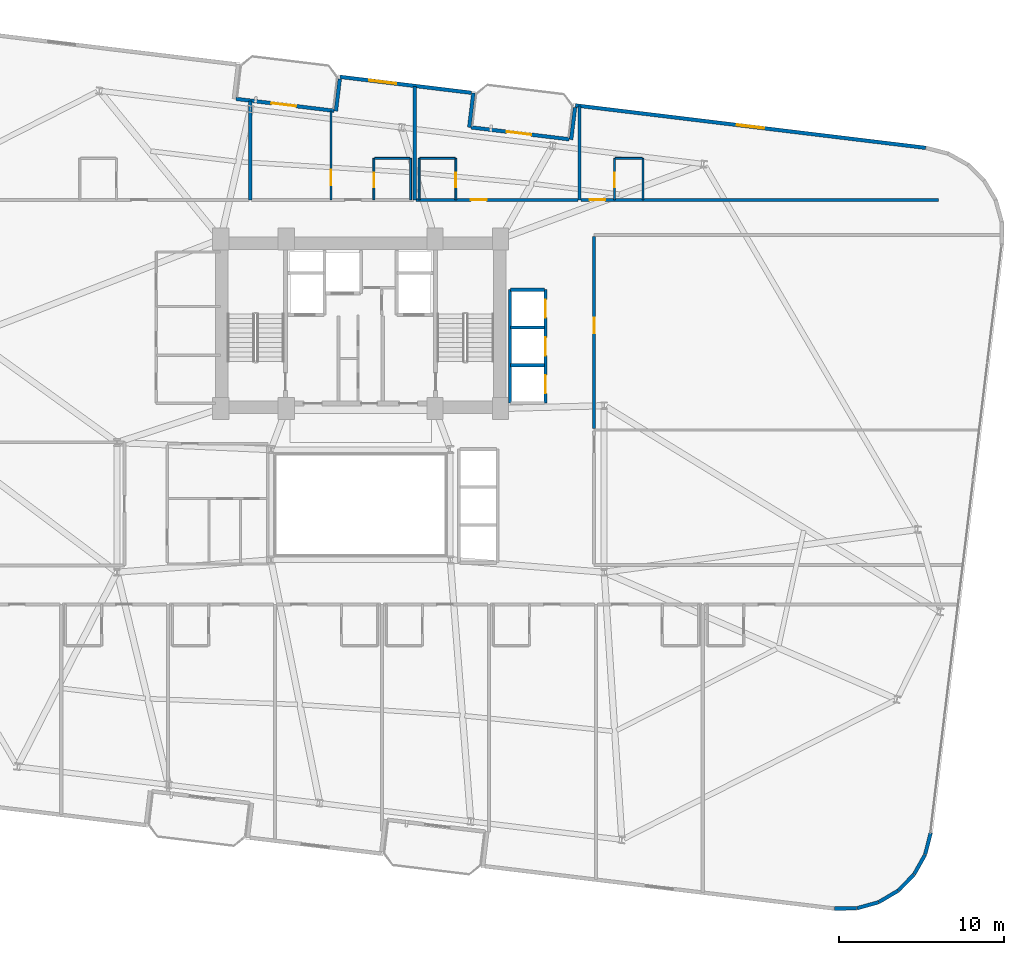
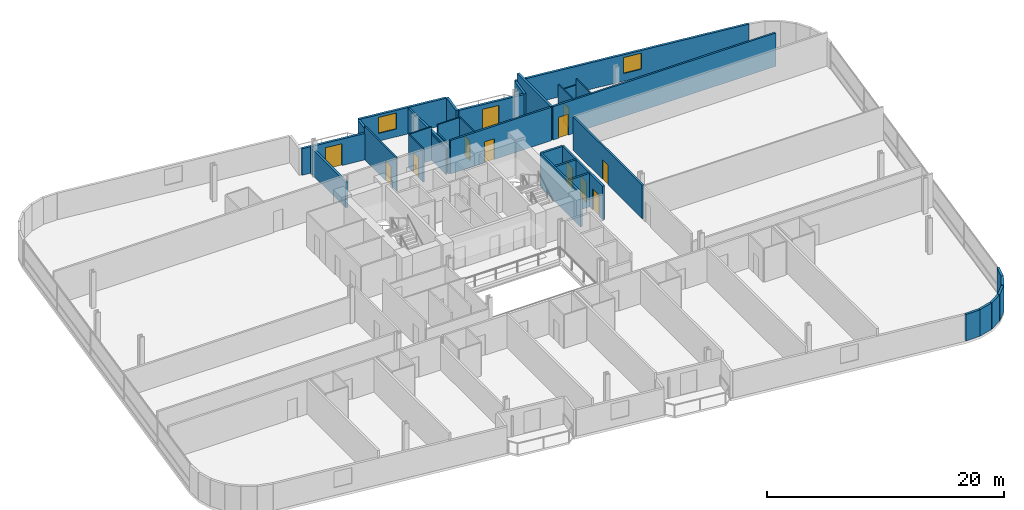
# One storey, part 23 of 26: 34 walls, 12 doors, 2 windows, 14 openings.
"""IFC4 building model written with IfcOpenShell, lengths in metres."""

from ifc_helpers import new_model, si_unit, direction, frame, frame_2d, origin, place, context, subcontext, project, spatial, rectangle, extrude, material, layer, layer_set, type_object, element, fill, save


model = new_model("IFC4")

# Units and contexts
model_context = context("Model", 3, precision=1e-05, world=origin(), true_north=direction((0.0, 1.0)))
body_context = subcontext(model_context, "Body", "Model", "MODEL_VIEW")
ifc_project = project(units=[si_unit("LENGTHUNIT", "METRE"), si_unit("AREAUNIT", "SQUARE_METRE"), si_unit("VOLUMEUNIT", "CUBIC_METRE"), si_unit("PLANEANGLEUNIT", "RADIAN"), si_unit("MASSUNIT", "GRAM", prefix="KILO")], contexts=[model_context])

# Site, building, storey
site_placement = place(None, origin())
site = spatial("IfcSite", under=ifc_project, at=site_placement, CompositionType="ELEMENT")
building_placement = place(site_placement, origin())
building = spatial("IfcBuilding", under=site, at=building_placement, Name="Varnelok Gate Tower", CompositionType="ELEMENT")
storey_placement = place(building_placement, frame((0.0, 0.0, 129.10009765625)))
storey = spatial("IfcBuildingStorey", under=building, at=storey_placement, Name="L32", CompositionType="ELEMENT", Elevation=129.10009765625)

# Wall, opening, door
ifc_material_1 = material(Name="Concrete C45/55", Category="concrete")
ifc_layer_1 = layer(ifc_material_1, 0.219970703125)
ifc_layer_set_1 = layer_set([ifc_layer_1], Name="Concrete C45/55")
wall_type_1 = type_object("IfcWallType", Name="EW-BALC-220", PredefinedType="SOLIDWALL", material=ifc_layer_set_1)
wall_1_placement = place(storey_placement, frame((31.624267578125, 47.5634765625, 0.0), z_axis=(0.0, 0.0, 1.0), x_axis=(0.992729951822, -0.120362962556, 0.0)))
wall_1 = element("IfcWall", 1, at=wall_1_placement, inside=storey, type_object=wall_type_1, Name="L32 North Terrace Envelope Wall 3", PredefinedType="SOLIDWALL", context=body_context, shape_type="SweptSolid", body=[
    extrude(rectangle(XDim=6.0, YDim=0.219970703125, at=frame_2d((3.0, 0.0))), origin(), (0.0, 0.0, 1.0), 2.72998046875),
])
opening_1_placement = place(wall_1_placement, frame((2.176025390625, 0.0, 0.0)))
opening_1 = element("IfcOpeningElement", 2, at=opening_1_placement, cuts=wall_1, Name="Opening BD-1", PredefinedType="OPENING", context=body_context, shape_type="SweptSolid", body=[
    extrude(rectangle(XDim=1.5, YDim=2.25, at=frame_2d((0.75, 1.125))), frame((0.0, 0.119873046875, 0.0), z_axis=(0.0, -1.0, 0.0), x_axis=(1.0, 0.0, 0.0)), (0.0, 0.0, 1.0), 0.239990234375),
])
ifc_material_2 = material(Name="Anodized Aluminum Alloy 6063-T6", Category="aluminium")
door_type_1 = type_object("IfcDoorType", Name="DR-EXT-BALC1500", OperationType="NOTDEFINED", PredefinedType="DOOR", material=ifc_material_2)
door_1_placement = place(opening_1_placement, origin())
door_1 = element("IfcDoor", 3, at=door_1_placement, inside=storey, type_object=door_type_1, Name="L32 North Balcony Glazed Door 3", OperationType="SINGLE_SWING_RIGHT", OverallHeight=2.25, OverallWidth=1.5, PredefinedType="DOOR", context=body_context, shape_type="SweptSolid", body=[
    extrude(rectangle(XDim=1.5, YDim=2.25, at=frame_2d((0.75, 1.125))), frame((0.0, 0.02490234375, 0.0), z_axis=(0.0, -1.0, 0.0), x_axis=(1.0, 0.0, 0.0)), (0.0, 0.0, 1.0), 0.050048828125),
])
fill(opening_1, door_1)

wall_2_placement = place(storey_placement, frame((45.919677734375, 45.83056640625, 0.0), z_axis=(0.0, 0.0, 1.0), x_axis=(0.992729951822, -0.120362962556, 0.0)))
wall_2 = element("IfcWall", 4, at=wall_2_placement, inside=storey, type_object=wall_type_1, Name="L32 North Terrace Envelope Wall 4", PredefinedType="SOLIDWALL", context=body_context, shape_type="SweptSolid", body=[
    extrude(rectangle(XDim=6.0, YDim=0.219970703125, at=frame_2d((3.0, 0.0))), origin(), (0.0, 0.0, 1.0), 2.72998046875),
])
opening_2_placement = place(wall_2_placement, frame((2.176025390625, 0.0, 0.0)))
opening_2 = element("IfcOpeningElement", 5, at=opening_2_placement, cuts=wall_2, Name="Opening BD-1", PredefinedType="OPENING", context=body_context, shape_type="SweptSolid", body=[
    extrude(rectangle(XDim=1.5, YDim=2.25, at=frame_2d((0.75, 1.125))), frame((0.0, 0.119873046875, 0.0), z_axis=(0.0, -1.0, 0.0), x_axis=(1.0, 0.0, 0.0)), (0.0, 0.0, 1.0), 0.239990234375),
])
door_2_placement = place(opening_2_placement, origin())
door_2 = element("IfcDoor", 6, at=door_2_placement, inside=storey, type_object=door_type_1, Name="L32 North Balcony Glazed Door 4", OperationType="SINGLE_SWING_LEFT", OverallHeight=2.25, OverallWidth=1.5, PredefinedType="DOOR", context=body_context, shape_type="SweptSolid", body=[
    extrude(rectangle(XDim=1.5, YDim=2.25, at=frame_2d((0.75, 1.125))), frame((0.0, 0.02490234375, 0.0), z_axis=(0.0, -1.0, 0.0), x_axis=(1.0, 0.0, 0.0)), (0.0, 0.0, 1.0), 0.050048828125),
])
fill(opening_2, door_2)

# Walls
wall_3_placement = place(storey_placement, frame((67.984375, -1.63671875, 0.0), z_axis=(0.0, 0.0, 1.0), x_axis=(0.999945887077, 0.010403024475, 0.0)))
element("IfcWall", 7, at=wall_3_placement, inside=storey, type_object=wall_type_1, Name="L32 Perimeter Facade Closure Wall 14", PredefinedType="SOLIDWALL", context=body_context, shape_type="SweptSolid", body=[
    extrude(rectangle(XDim=1.361083984375, YDim=0.219970703125, at=frame_2d((0.6806640625, 0.0))), origin(), (0.0, 0.0, 1.0), 2.72998046875),
])
wall_4_placement = place(storey_placement, frame((69.369384765625, -1.615966796875, 0.0), z_axis=(0.0, 0.0, 1.0), x_axis=(0.963194128812, 0.268806752562, 0.0)))
element("IfcWall", 8, at=wall_4_placement, inside=storey, type_object=wall_type_1, Name="L32 Perimeter Facade Closure Wall 15", PredefinedType="SOLIDWALL", context=body_context, shape_type="SweptSolid", body=[
    extrude(rectangle(XDim=1.353271484375, YDim=0.219970703125, at=frame_2d((0.6767578125, 0.0))), origin(), (0.0, 0.0, 1.0), 2.72998046875),
])
for number, where, z_axis, x_axis, name in (
    (9, (70.6943359375, -1.239501953125, 0.0), (0.0, 0.0, 1.0), (0.860865455241, 0.508832652228, 0.0), "L32 Perimeter Facade Closure Wall 16"),
    (10, (71.876708984375, -0.533203125, 0.0), (0.0, 0.0, 1.0), (0.69976104234, 0.714376989847, 0.0), "L32 Perimeter Facade Closure Wall 17"),
    (11, (72.835693359375, 0.455078125, 0.0), (0.0, 0.0, 1.0), (0.491117621399, 0.871093268227, 0.0), "L32 Perimeter Facade Closure Wall 18"),
):
    element("IfcWall", number, at=place(storey_placement, frame(where, z_axis=z_axis, x_axis=x_axis)), inside=storey, type_object=wall_type_1, Name=name, PredefinedType="SOLIDWALL", context=body_context, shape_type="SweptSolid", body=[
        extrude(rectangle(XDim=1.35302734375, YDim=0.219970703125, at=frame_2d((0.676513671875, 0.0))), origin(), (0.0, 0.0, 1.0), 2.72998046875),
    ])
wall_5_placement = place(storey_placement, frame((73.506591796875, 1.658203125, 0.0), z_axis=(0.0, 0.0, 1.0), x_axis=(0.248857256909, 0.968540172468, 0.0)))
element("IfcWall", 12, at=wall_5_placement, inside=storey, type_object=wall_type_1, Name="L32 Perimeter Facade Closure Wall 19", PredefinedType="SOLIDWALL", context=body_context, shape_type="SweptSolid", body=[
    extrude(rectangle(XDim=1.352783203125, YDim=0.219970703125, at=frame_2d((0.67626953125, 0.0))), origin(), (0.0, 0.0, 1.0), 2.72998046875),
])

# Wall, opening, window
wall_6_placement = place(storey_placement, frame((73.537841796875, 44.587890625, 0.0), z_axis=(0.0, 0.0, 1.0), x_axis=(-0.992733493583, 0.120333747213, 0.0)))
wall_6 = element("IfcWall", 13, at=wall_6_placement, inside=storey, type_object=wall_type_1, Name="L32 Perimeter Facade Closure Wall 26", PredefinedType="SOLIDWALL", context=body_context, shape_type="SweptSolid", body=[
    extrude(rectangle(XDim=21.447021484375, YDim=0.219970703125, at=frame_2d((10.7236328125, 0.0))), origin(), (0.0, 0.0, 1.0), 2.72998046875),
])
opening_3_placement = place(wall_6_placement, frame((9.898681640625, 0.0, 0.800048828125)))
opening_3 = element("IfcOpeningElement", 14, at=opening_3_placement, cuts=wall_6, Name="Opening WN3", PredefinedType="OPENING", context=body_context, shape_type="SweptSolid", body=[
    extrude(rectangle(XDim=1.64990234375, YDim=1.64990234375, at=frame_2d((0.824951171875, 0.824951171875))), frame((0.0, 0.119873046875, 0.0), z_axis=(0.0, -1.0, 0.0), x_axis=(1.0, 0.0, 0.0)), (0.0, 0.0, 1.0), 0.239990234375),
])
ifc_material_3 = material(Name="Low-E Laminated Double Glazing IGU", Category="glass")
window_type = type_object("IfcWindowType", Name="WN-HTL-1650", PartitioningType="SINGLE_PANEL", PredefinedType="WINDOW", material=ifc_material_3)
window_1_placement = place(opening_3_placement, origin())
window_1 = element("IfcWindow", 15, at=window_1_placement, inside=storey, type_object=window_type, Name="L32 Perimeter Vision Window 26", OverallHeight=1.64990234375, OverallWidth=1.64990234375, PartitioningType="SINGLE_PANEL", PredefinedType="WINDOW", context=body_context, shape_type="SweptSolid", body=[
    extrude(rectangle(XDim=1.64990234375, YDim=1.64990234375, at=frame_2d((0.824951171875, 0.824951171875))), frame((0.0, 0.030029296875, 0.0), z_axis=(0.0, -1.0, 0.0), x_axis=(1.0, 0.0, 0.0)), (0.0, 0.0, 1.0), 0.06005859375),
])
fill(opening_3, window_1)

# Walls
wall_7_placement = place(storey_placement, frame((52.2314453125, 47.044677734375, 0.0), z_axis=(0.0, 0.0, 1.0), x_axis=(-0.120275992932, -0.992740492538, 0.0)))
element("IfcWall", 16, at=wall_7_placement, inside=storey, type_object=wall_type_1, Name="L32 Perimeter Facade Closure Wall 27", PredefinedType="SOLIDWALL", context=body_context, shape_type="SweptSolid", body=[
    extrude(rectangle(XDim=1.97509765625, YDim=0.219970703125, at=frame_2d((0.987548828125, 0.0))), origin(), (0.0, 0.0, 1.0), 2.72998046875),
])
wall_8_placement = place(storey_placement, frame((45.79931640625, 45.8349609375, 0.0), z_axis=(0.0, 0.0, 1.0), x_axis=(0.120314009587, 0.992735885871, 0.0)))
element("IfcWall", 17, at=wall_8_placement, inside=storey, type_object=wall_type_1, Name="L32 Perimeter Facade Closure Wall 28", PredefinedType="SOLIDWALL", context=body_context, shape_type="SweptSolid", body=[
    extrude(rectangle(XDim=2.10009765625, YDim=0.219970703125, at=frame_2d((1.050048828125, 0.0))), origin(), (0.0, 0.0, 1.0), 2.72998046875),
])

# Wall, opening, window
wall_9_placement = place(storey_placement, frame((45.927734375, 47.934814453125, 0.0), z_axis=(0.0, 0.0, 1.0), x_axis=(-0.992730591876, 0.120357683402, 0.0)))
wall_9 = element("IfcWall", 18, at=wall_9_placement, inside=storey, type_object=wall_type_1, Name="L32 Perimeter Facade Closure Wall 29", PredefinedType="SOLIDWALL", context=body_context, shape_type="SweptSolid", body=[
    extrude(rectangle(XDim=8.03466796875, YDim=0.219970703125, at=frame_2d((4.017333984375, 0.0))), origin(), (0.0, 0.0, 1.0), 2.72998046875),
])
opening_4_placement = place(wall_9_placement, frame((4.59716796875, 0.0, 0.800048828125)))
opening_4 = element("IfcOpeningElement", 19, at=opening_4_placement, cuts=wall_9, Name="Opening WN3", PredefinedType="OPENING", context=body_context, shape_type="SweptSolid", body=[
    extrude(rectangle(XDim=1.64990234375, YDim=1.64990234375, at=frame_2d((0.824951171875, 0.824951171875))), frame((0.0, 0.119873046875, 0.0), z_axis=(0.0, -1.0, 0.0), x_axis=(1.0, 0.0, 0.0)), (0.0, 0.0, 1.0), 0.239990234375),
])
window_2_placement = place(opening_4_placement, origin())
window_2 = element("IfcWindow", 20, at=window_2_placement, inside=storey, type_object=window_type, Name="L32 Perimeter Vision Window 29", OverallHeight=1.64990234375, OverallWidth=1.64990234375, PartitioningType="SINGLE_PANEL", PredefinedType="WINDOW", context=body_context, shape_type="SweptSolid", body=[
    extrude(rectangle(XDim=1.64990234375, YDim=1.64990234375, at=frame_2d((0.824951171875, 0.824951171875))), frame((0.0, 0.030029296875, 0.0), z_axis=(0.0, -1.0, 0.0), x_axis=(1.0, 0.0, 0.0)), (0.0, 0.0, 1.0), 0.06005859375),
])
fill(opening_4, window_2)

# Wall
wall_10_placement = place(storey_placement, frame((37.936279296875, 48.777587890625, 0.0), z_axis=(0.0, 0.0, 1.0), x_axis=(-0.120397815541, -0.992725725472, 0.0)))
element("IfcWall", 21, at=wall_10_placement, inside=storey, type_object=wall_type_1, Name="L32 Perimeter Facade Closure Wall 30", PredefinedType="SOLIDWALL", context=body_context, shape_type="SweptSolid", body=[
    extrude(rectangle(XDim=1.97509765625, YDim=0.219970703125, at=frame_2d((0.987548828125, 0.0))), origin(), (0.0, 0.0, 1.0), 2.72998046875),
])

# Wall, opening, door
ifc_material_4 = material(Name="Gypsum Plasterboard Acoustic Partition", Category="gypsum")
ifc_layer_2 = layer(ifc_material_4, 0.179931640625)
ifc_layer_set_2 = layer_set([ifc_layer_2], Name="Gypsum Plasterboard Acoustic Partition")
wall_type_2 = type_object("IfcWallType", Name="PW-CORR-180", PredefinedType="PARTITIONING", material=ifc_layer_set_2)
wall_11_placement = place(storey_placement, frame((42.580078125, 41.429931640625, 0.0), z_axis=(0.0, 0.0, 1.0), x_axis=(1.0, 0.0, 0.0)))
wall_11 = element("IfcWall", 22, at=wall_11_placement, inside=storey, type_object=wall_type_2, Name="Interior Partition", PredefinedType="PARTITIONING", context=body_context, shape_type="SweptSolid", body=[
    extrude(rectangle(XDim=9.83984375, YDim=0.179931640625, at=frame_2d((4.919921875, 0.0))), origin(), (0.0, 0.0, 1.0), 3.449951171875),
])
opening_5_placement = place(wall_11_placement, frame((3.322998046875, 0.0, 0.0)))
opening_5 = element("IfcOpeningElement", 23, at=opening_5_placement, cuts=wall_11, Name="Opening D-HT", PredefinedType="OPENING", context=body_context, shape_type="SweptSolid", body=[
    extrude(rectangle(XDim=0.949951171875, YDim=2.14990234375, at=frame_2d((0.47509765625, 1.074951171875))), frame((0.0, 0.099853515625, 0.0), z_axis=(0.0, -1.0, 0.0), x_axis=(1.0, 0.0, 0.0)), (0.0, 0.0, 1.0), 0.199951171875),
])
ifc_material_5 = material(Name="Engineered Hardwood Timber", Category="wood")
door_type_2 = type_object("IfcDoorType", Name="DR-HTL-950", OperationType="NOTDEFINED", PredefinedType="DOOR", material=ifc_material_5)
door_3_placement = place(opening_5_placement, origin())
door_3 = element("IfcDoor", 24, at=door_3_placement, inside=storey, type_object=door_type_2, Name="L32 Guest Room 12 Entrance Door", OperationType="SINGLE_SWING_LEFT", OverallHeight=2.14990234375, OverallWidth=0.949951171875, PredefinedType="DOOR", context=body_context, shape_type="SweptSolid", body=[
    extrude(rectangle(XDim=0.949951171875, YDim=2.14990234375, at=frame_2d((0.47509765625, 1.074951171875))), frame((0.0, 0.02490234375, 0.0), z_axis=(0.0, -1.0, 0.0), x_axis=(1.0, 0.0, 0.0)), (0.0, 0.0, 1.0), 0.050048828125),
])
fill(opening_5, door_3)

wall_12_placement = place(storey_placement, frame((52.580078125, 41.429931640625, 0.0), z_axis=(0.0, 0.0, 1.0), x_axis=(1.0, 0.0, 0.0)))
wall_12 = element("IfcWall", 25, at=wall_12_placement, inside=storey, type_object=wall_type_2, Name="Interior Partition", PredefinedType="PARTITIONING", context=body_context, shape_type="SweptSolid", body=[
    extrude(rectangle(XDim=21.739990234375, YDim=0.179931640625, at=frame_2d((10.8701171875, 0.0))), origin(), (0.0, 0.0, 1.0), 3.449951171875),
])
opening_6_placement = place(wall_12_placement, frame((0.529052734375, 0.0, 0.0)))
opening_6 = element("IfcOpeningElement", 26, at=opening_6_placement, cuts=wall_12, Name="Opening D-HT", PredefinedType="OPENING", context=body_context, shape_type="SweptSolid", body=[
    extrude(rectangle(XDim=0.949951171875, YDim=2.14990234375, at=frame_2d((0.47509765625, 1.074951171875))), frame((0.0, 0.099853515625, 0.0), z_axis=(0.0, -1.0, 0.0), x_axis=(1.0, 0.0, 0.0)), (0.0, 0.0, 1.0), 0.199951171875),
])
door_4_placement = place(opening_6_placement, origin())
door_4 = element("IfcDoor", 27, at=door_4_placement, inside=storey, type_object=door_type_2, Name="L32 Guest Room 13 Entrance Door", OperationType="SINGLE_SWING_RIGHT", OverallHeight=2.14990234375, OverallWidth=0.949951171875, PredefinedType="DOOR", context=body_context, shape_type="SweptSolid", body=[
    extrude(rectangle(XDim=0.949951171875, YDim=2.14990234375, at=frame_2d((0.47509765625, 1.074951171875))), frame((0.0, 0.02490234375, 0.0), z_axis=(0.0, -1.0, 0.0), x_axis=(1.0, 0.0, 0.0)), (0.0, 0.0, 1.0), 0.050048828125),
])
fill(opening_6, door_4)

wall_13_placement = place(storey_placement, frame((53.389892578125, 27.530029296875, 0.0), z_axis=(0.0, 0.0, 1.0), x_axis=(0.0, 1.0, 0.0)))
wall_13 = element("IfcWall", 28, at=wall_13_placement, inside=storey, type_object=wall_type_2, Name="Interior Partition", PredefinedType="PARTITIONING", context=body_context, shape_type="SweptSolid", body=[
    extrude(rectangle(XDim=11.669921875, YDim=0.179931640625, at=frame_2d((5.8349609375, 0.0))), origin(), (0.0, 0.0, 1.0), 3.449951171875),
])
opening_7_placement = place(wall_13_placement, frame((5.800048828125, 0.0, 0.0)))
opening_7 = element("IfcOpeningElement", 29, at=opening_7_placement, cuts=wall_13, Name="Opening D-I3", PredefinedType="OPENING", context=body_context, shape_type="SweptSolid", body=[
    extrude(rectangle(XDim=0.919921875, YDim=2.050048828125, at=frame_2d((0.4599609375, 1.02490234375))), frame((0.0, 0.099853515625, 0.0), z_axis=(0.0, -1.0, 0.0), x_axis=(1.0, 0.0, 0.0)), (0.0, 0.0, 1.0), 0.199951171875),
])
door_type_3 = type_object("IfcDoorType", Name="DR-INT-920", OperationType="NOTDEFINED", PredefinedType="DOOR", material=ifc_material_5)
door_5_placement = place(opening_7_placement, origin())
door_5 = element("IfcDoor", 30, at=door_5_placement, inside=storey, type_object=door_type_3, Name="L32 East Suite 2 Door", OperationType="SINGLE_SWING_RIGHT", OverallHeight=2.050048828125, OverallWidth=0.919921875, PredefinedType="DOOR", context=body_context, shape_type="SweptSolid", body=[
    extrude(rectangle(XDim=0.919921875, YDim=2.050048828125, at=frame_2d((0.4599609375, 1.02490234375))), frame((0.0, 0.02490234375, 0.0), z_axis=(0.0, -1.0, 0.0), x_axis=(1.0, 0.0, 0.0)), (0.0, 0.0, 1.0), 0.050048828125),
])
fill(opening_7, door_5)

# Wall
ifc_layer_3 = layer(ifc_material_4, 0.114990234375)
ifc_layer_set_3 = layer_set([ifc_layer_3], Name="Gypsum Plasterboard Acoustic Partition")
wall_type_3 = type_object("IfcWallType", Name="PW-ENS-125", PredefinedType="PARTITIONING", material=ifc_layer_set_3)
wall_14_placement = place(storey_placement, frame((40.050048828125, 43.949951171875, 0.0), z_axis=(0.0, 0.0, 1.0), x_axis=(1.0, 0.0, 0.0)))
element("IfcWall", 31, at=wall_14_placement, inside=storey, type_object=wall_type_3, Name="Interior Partition", PredefinedType="PARTITIONING", context=body_context, shape_type="SweptSolid", body=[
    extrude(rectangle(XDim=2.14990234375, YDim=0.114990234375, at=frame_2d((1.074951171875, 0.0))), origin(), (0.0, 0.0, 1.0), 3.449951171875),
])

# Wall, opening, door
wall_15_placement = place(storey_placement, frame((40.010009765625, 41.429931640625, 0.0), z_axis=(0.0, 0.0, 1.0), x_axis=(0.0, 1.0, 0.0)))
wall_15 = element("IfcWall", 32, at=wall_15_placement, inside=storey, type_object=wall_type_3, Name="Interior Partition", PredefinedType="PARTITIONING", context=body_context, shape_type="SweptSolid", body=[
    extrude(rectangle(XDim=2.52001953125, YDim=0.114990234375, at=frame_2d((1.260009765625, 0.0))), origin(), (0.0, 0.0, 1.0), 3.449951171875),
])
opening_8_placement = place(wall_15_placement, frame((0.760009765625, 0.0, 0.0)))
opening_8 = element("IfcOpeningElement", 33, at=opening_8_placement, cuts=wall_15, Name="Opening D-WC", PredefinedType="OPENING", context=body_context, shape_type="SweptSolid", body=[
    extrude(rectangle(XDim=0.89990234375, YDim=2.050048828125, at=frame_2d((0.449951171875, 1.02490234375))), frame((0.0, 0.0673828125, 0.0), z_axis=(0.0, -1.0, 0.0), x_axis=(1.0, 0.0, 0.0)), (0.0, 0.0, 1.0), 0.135009765625),
])
door_type_4 = type_object("IfcDoorType", Name="DR-BATH-900", OperationType="NOTDEFINED", PredefinedType="DOOR", material=ifc_material_5)
door_6_placement = place(opening_8_placement, origin())
door_6 = element("IfcDoor", 34, at=door_6_placement, inside=storey, type_object=door_type_4, Name="L32 North En-Suite 11 Door", OperationType="SINGLE_SWING_LEFT", OverallHeight=2.050048828125, OverallWidth=0.89990234375, PredefinedType="DOOR", context=body_context, shape_type="SweptSolid", body=[
    extrude(rectangle(XDim=0.89990234375, YDim=2.050048828125, at=frame_2d((0.449951171875, 1.02490234375))), frame((0.0, 0.02490234375, 0.0), z_axis=(0.0, -1.0, 0.0), x_axis=(1.0, 0.0, 0.0)), (0.0, 0.0, 1.0), 0.050048828125),
])
fill(opening_8, door_6)

# Walls
wall_16_placement = place(storey_placement, frame((42.239990234375, 41.429931640625, 0.0), z_axis=(0.0, 0.0, 1.0), x_axis=(0.0, 1.0, 0.0)))
element("IfcWall", 35, at=wall_16_placement, inside=storey, type_object=wall_type_3, Name="Interior Partition", PredefinedType="PARTITIONING", context=body_context, shape_type="SweptSolid", body=[
    extrude(rectangle(XDim=2.52001953125, YDim=0.114990234375, at=frame_2d((1.260009765625, 0.0))), origin(), (0.0, 0.0, 1.0), 2.661865234375),
])
wall_17_placement = place(storey_placement, frame((42.800048828125, 43.949951171875, 0.0), z_axis=(0.0, 0.0, 1.0), x_axis=(1.0, 0.0, 0.0)))
element("IfcWall", 36, at=wall_17_placement, inside=storey, type_object=wall_type_3, Name="Interior Partition", PredefinedType="PARTITIONING", context=body_context, shape_type="SweptSolid", body=[
    extrude(rectangle(XDim=2.14990234375, YDim=0.114990234375, at=frame_2d((1.074951171875, 0.0))), origin(), (0.0, 0.0, 1.0), 3.449951171875),
])

# Wall, opening, door
wall_18_placement = place(storey_placement, frame((44.989990234375, 41.429931640625, 0.0), z_axis=(0.0, 0.0, 1.0), x_axis=(0.0, 1.0, 0.0)))
wall_18 = element("IfcWall", 37, at=wall_18_placement, inside=storey, type_object=wall_type_3, Name="Interior Partition", PredefinedType="PARTITIONING", context=body_context, shape_type="SweptSolid", body=[
    extrude(rectangle(XDim=2.52001953125, YDim=0.114990234375, at=frame_2d((1.260009765625, 0.0))), origin(), (0.0, 0.0, 1.0), 3.449951171875),
])
opening_9_placement = place(wall_18_placement, frame((0.760009765625, 0.0, 0.0)))
opening_9 = element("IfcOpeningElement", 38, at=opening_9_placement, cuts=wall_18, Name="Opening D-WC", PredefinedType="OPENING", context=body_context, shape_type="SweptSolid", body=[
    extrude(rectangle(XDim=0.89990234375, YDim=2.050048828125, at=frame_2d((0.449951171875, 1.02490234375))), frame((0.0, 0.0673828125, 0.0), z_axis=(0.0, -1.0, 0.0), x_axis=(1.0, 0.0, 0.0)), (0.0, 0.0, 1.0), 0.135009765625),
])
door_7_placement = place(opening_9_placement, origin())
door_7 = element("IfcDoor", 39, at=door_7_placement, inside=storey, type_object=door_type_4, Name="L32 North En-Suite 12 Door", OperationType="SINGLE_SWING_RIGHT", OverallHeight=2.050048828125, OverallWidth=0.89990234375, PredefinedType="DOOR", context=body_context, shape_type="SweptSolid", body=[
    extrude(rectangle(XDim=0.89990234375, YDim=2.050048828125, at=frame_2d((0.449951171875, 1.02490234375))), frame((0.0, 0.02490234375, 0.0), z_axis=(0.0, -1.0, 0.0), x_axis=(1.0, 0.0, 0.0)), (0.0, 0.0, 1.0), 0.050048828125),
])
fill(opening_9, door_7)

# Walls
wall_19_placement = place(storey_placement, frame((42.760009765625, 41.429931640625, 0.0), z_axis=(0.0, 0.0, 1.0), x_axis=(0.0, 1.0, 0.0)))
element("IfcWall", 40, at=wall_19_placement, inside=storey, type_object=wall_type_3, Name="Interior Partition", PredefinedType="PARTITIONING", context=body_context, shape_type="SweptSolid", body=[
    extrude(rectangle(XDim=2.52001953125, YDim=0.114990234375, at=frame_2d((1.260009765625, 0.0))), origin(), (0.0, 0.0, 1.0), 2.661865234375),
])
wall_20_placement = place(storey_placement, frame((54.669921875, 43.949951171875, 0.0), z_axis=(0.0, 0.0, 1.0), x_axis=(1.0, 0.0, 0.0)))
element("IfcWall", 41, at=wall_20_placement, inside=storey, type_object=wall_type_3, Name="Interior Partition", PredefinedType="PARTITIONING", context=body_context, shape_type="SweptSolid", body=[
    extrude(rectangle(XDim=1.650146484375, YDim=0.114990234375, at=frame_2d((0.8251953125, 0.0))), origin(), (0.0, 0.0, 1.0), 2.823974609375),
])

# Wall, opening, door
wall_21_placement = place(storey_placement, frame((54.6298828125, 41.429931640625, 0.0), z_axis=(0.0, 0.0, 1.0), x_axis=(0.0, 1.0, 0.0)))
wall_21 = element("IfcWall", 42, at=wall_21_placement, inside=storey, type_object=wall_type_3, Name="Interior Partition", PredefinedType="PARTITIONING", context=body_context, shape_type="SweptSolid", body=[
    extrude(rectangle(XDim=2.52001953125, YDim=0.114990234375, at=frame_2d((1.260009765625, 0.0))), origin(), (0.0, 0.0, 1.0), 3.449951171875),
])
opening_10_placement = place(wall_21_placement, frame((0.760009765625, 0.0, 0.0)))
opening_10 = element("IfcOpeningElement", 43, at=opening_10_placement, cuts=wall_21, Name="Opening D-WC", PredefinedType="OPENING", context=body_context, shape_type="SweptSolid", body=[
    extrude(rectangle(XDim=0.89990234375, YDim=2.050048828125, at=frame_2d((0.449951171875, 1.02490234375))), frame((0.0, 0.0673828125, 0.0), z_axis=(0.0, -1.0, 0.0), x_axis=(1.0, 0.0, 0.0)), (0.0, 0.0, 1.0), 0.135009765625),
])
door_8_placement = place(opening_10_placement, origin())
door_8 = element("IfcDoor", 44, at=door_8_placement, inside=storey, type_object=door_type_4, Name="L32 North En-Suite 13 Door", OperationType="SINGLE_SWING_LEFT", OverallHeight=2.050048828125, OverallWidth=0.89990234375, PredefinedType="DOOR", context=body_context, shape_type="SweptSolid", body=[
    extrude(rectangle(XDim=0.89990234375, YDim=2.050048828125, at=frame_2d((0.449951171875, 1.02490234375))), frame((0.0, 0.02490234375, 0.0), z_axis=(0.0, -1.0, 0.0), x_axis=(1.0, 0.0, 0.0)), (0.0, 0.0, 1.0), 0.050048828125),
])
fill(opening_10, door_8)

# Wall
wall_22_placement = place(storey_placement, frame((56.360107421875, 41.429931640625, 0.0), z_axis=(0.0, 0.0, 1.0), x_axis=(0.0, 1.0, 0.0)))
element("IfcWall", 45, at=wall_22_placement, inside=storey, type_object=wall_type_3, Name="Interior Partition", PredefinedType="PARTITIONING", context=body_context, shape_type="SweptSolid", body=[
    extrude(rectangle(XDim=2.52001953125, YDim=0.114990234375, at=frame_2d((1.260009765625, 0.0))), origin(), (0.0, 0.0, 1.0), 3.449951171875),
])

# Wall, opening, door
ifc_layer_4 = layer(ifc_material_4, 0.125)
ifc_layer_set_4 = layer_set([ifc_layer_4], Name="Gypsum Plasterboard Acoustic Partition")
wall_type_4 = type_object("IfcWallType", Name="PW-PART-125", PredefinedType="PARTITIONING", material=ifc_layer_set_4)
wall_23_placement = place(storey_placement, frame((37.39990234375, 41.429931640625, 0.0), z_axis=(0.0, 0.0, 1.0), x_axis=(0.0, 1.0, 0.0)))
wall_23 = element("IfcWall", 46, at=wall_23_placement, inside=storey, type_object=wall_type_4, Name="Interior Partition", PredefinedType="PARTITIONING", context=body_context, shape_type="SweptSolid", body=[
    extrude(rectangle(XDim=5.403076171875, YDim=0.125, at=frame_2d((2.70166015625, 0.0))), origin(), (0.0, 0.0, 1.0), 3.449951171875),
])
opening_11_placement = place(wall_23_placement, frame((0.897216796875, 0.0, 0.0)))
opening_11 = element("IfcOpeningElement", 47, at=opening_11_placement, cuts=wall_23, Name="Opening D-I3", PredefinedType="OPENING", context=body_context, shape_type="SweptSolid", body=[
    extrude(rectangle(XDim=0.919921875, YDim=2.050048828125, at=frame_2d((0.4599609375, 1.02490234375))), frame((0.0, 0.072509765625, 0.0), z_axis=(0.0, -1.0, 0.0), x_axis=(1.0, 0.0, 0.0)), (0.0, 0.0, 1.0), 0.14501953125),
])
door_9_placement = place(opening_11_placement, origin())
door_9 = element("IfcDoor", 48, at=door_9_placement, inside=storey, type_object=door_type_3, Name="L32 Suite Bedroom Door 11", OperationType="SINGLE_SWING_LEFT", OverallHeight=2.050048828125, OverallWidth=0.919921875, PredefinedType="DOOR", context=body_context, shape_type="SweptSolid", body=[
    extrude(rectangle(XDim=0.919921875, YDim=2.050048828125, at=frame_2d((0.4599609375, 1.02490234375))), frame((0.0, 0.02490234375, 0.0), z_axis=(0.0, -1.0, 0.0), x_axis=(1.0, 0.0, 0.0)), (0.0, 0.0, 1.0), 0.050048828125),
])
fill(opening_11, door_9)

# Walls
ifc_layer_5 = layer(ifc_material_4, 0.205078125)
ifc_layer_set_5 = layer_set([ifc_layer_5], Name="Gypsum Plasterboard Acoustic Partition")
wall_type_5 = type_object("IfcWallType", Name="PW-PARTY-200", PredefinedType="PARTITIONING", material=ifc_layer_set_5)
wall_24_placement = place(storey_placement, frame((32.5, 41.429931640625, 0.0), z_axis=(0.0, 0.0, 1.0), x_axis=(0.0, 1.0, 0.0)))
element("IfcWall", 49, at=wall_24_placement, inside=storey, type_object=wall_type_5, Name="L32 North Party Wall 1", PredefinedType="PARTITIONING", context=body_context, shape_type="SweptSolid", body=[
    extrude(rectangle(XDim=5.9970703125, YDim=0.205078125, at=frame_2d((2.99853515625, 0.0))), origin(), (0.0, 0.0, 1.0), 2.661865234375),
])
wall_25_placement = place(storey_placement, frame((42.5, 41.429931640625, 0.0), z_axis=(0.0, 0.0, 1.0), x_axis=(0.0, 1.0, 0.0)))
element("IfcWall", 50, at=wall_25_placement, inside=storey, type_object=wall_type_5, Name="L32 North Party Wall 2", PredefinedType="PARTITIONING", context=body_context, shape_type="SweptSolid", body=[
    extrude(rectangle(XDim=6.900390625, YDim=0.205078125, at=frame_2d((3.4501953125, 0.0))), origin(), (0.0, 0.0, 1.0), 2.661865234375),
])
wall_26_placement = place(storey_placement, frame((52.5, 41.429931640625, 0.0), z_axis=(0.0, 0.0, 1.0), x_axis=(0.0, 1.0, 0.0)))
element("IfcWall", 51, at=wall_26_placement, inside=storey, type_object=wall_type_5, Name="L32 North Party Wall 3", PredefinedType="PARTITIONING", context=body_context, shape_type="SweptSolid", body=[
    extrude(rectangle(XDim=5.68798828125, YDim=0.205078125, at=frame_2d((2.843994140625, 0.0))), origin(), (0.0, 0.0, 1.0), 3.449951171875),
])
ifc_material_6 = material(Name="Concrete C35/45", Category="concrete")
ifc_layer_6 = layer(ifc_material_6, 0.199951171875)
ifc_layer_set_6 = layer_set([ifc_layer_6], Name="Concrete C35/45")
wall_type_6 = type_object("IfcWallType", Name="PW-SHAFT-200", PredefinedType="PARTITIONING", material=ifc_layer_set_6)
for number, where, z_axis, x_axis, name in (
    (52, (48.320068359375, 31.375, 0.0), (0.0, 0.0, 1.0), (1.0, 0.0, 0.0), "L32 PM1 Divider"),
    (53, (48.320068359375, 33.675048828125, 0.0), (0.0, 0.0, 1.0), (1.0, 0.0, 0.0), "L32 PM2 Divider"),
    (54, (48.320068359375, 35.969970703125, 0.0), (0.0, 0.0, 1.0), (1.0, 0.0, 0.0), "L32 PM Bank North Wall"),
):
    element("IfcWall", number, at=place(storey_placement, frame(where, z_axis=z_axis, x_axis=x_axis)), inside=storey, type_object=wall_type_6, Name=name, PredefinedType="PARTITIONING", context=body_context, shape_type="SweptSolid", body=[
        extrude(rectangle(XDim=2.059814453125, YDim=0.199951171875, at=frame_2d((1.02978515625, 0.0))), origin(), (0.0, 0.0, 1.0), 3.449951171875),
    ])
wall_27_placement = place(storey_placement, frame((48.280029296875, 29.080078125, 0.0), z_axis=(0.0, 0.0, 1.0), x_axis=(0.0, 1.0, 0.0)))
element("IfcWall", 55, at=wall_27_placement, inside=storey, type_object=wall_type_6, Name="L32 PM Bank Back Wall", PredefinedType="PARTITIONING", context=body_context, shape_type="SweptSolid", body=[
    extrude(rectangle(XDim=6.889892578125, YDim=0.199951171875, at=frame_2d((3.44482421875, 0.0))), origin(), (0.0, 0.0, 1.0), 3.449951171875),
])

# Wall, openings, doors
wall_28_placement = place(storey_placement, frame((50.43994140625, 29.080078125, 0.0), z_axis=(0.0, 0.0, 1.0), x_axis=(0.0, 1.0, 0.0)))
wall_28 = element("IfcWall", 56, at=wall_28_placement, inside=storey, type_object=wall_type_6, Name="L32 PM Bank Front Wall", PredefinedType="PARTITIONING", context=body_context, shape_type="SweptSolid", body=[
    extrude(rectangle(XDim=6.889892578125, YDim=0.199951171875, at=frame_2d((3.44482421875, 0.0))), origin(), (0.0, 0.0, 1.0), 3.449951171875),
])
opening_12_placement = place(wall_28_placement, frame((0.590087890625, 0.0, 0.0)))
opening_12 = element("IfcOpeningElement", 57, at=opening_12_placement, cuts=wall_28, Name="Opening LD-PM1", PredefinedType="OPENING", context=body_context, shape_type="SweptSolid", body=[
    extrude(rectangle(XDim=1.10009765625, YDim=2.14990234375, at=frame_2d((0.550048828125, 1.074951171875))), frame((0.0, 0.10986328125, 0.0), z_axis=(0.0, -1.0, 0.0), x_axis=(1.0, 0.0, 0.0)), (0.0, 0.0, 1.0), 0.219970703125),
])
opening_13_placement = place(wall_28_placement, frame((2.889892578125, 0.0, 0.0)))
opening_13 = element("IfcOpeningElement", 58, at=opening_13_placement, cuts=wall_28, Name="Opening LD-PM2", PredefinedType="OPENING", context=body_context, shape_type="SweptSolid", body=[
    extrude(rectangle(XDim=1.10009765625, YDim=2.14990234375, at=frame_2d((0.550048828125, 1.074951171875))), frame((0.0, 0.10986328125, 0.0), z_axis=(0.0, -1.0, 0.0), x_axis=(1.0, 0.0, 0.0)), (0.0, 0.0, 1.0), 0.219970703125),
])
opening_14_placement = place(wall_28_placement, frame((5.18994140625, 0.0, 0.0)))
opening_14 = element("IfcOpeningElement", 59, at=opening_14_placement, cuts=wall_28, Name="Opening LD-PM3", PredefinedType="OPENING", context=body_context, shape_type="SweptSolid", body=[
    extrude(rectangle(XDim=1.10009765625, YDim=2.14990234375, at=frame_2d((0.550048828125, 1.074951171875))), frame((0.0, 0.10986328125, 0.0), z_axis=(0.0, -1.0, 0.0), x_axis=(1.0, 0.0, 0.0)), (0.0, 0.0, 1.0), 0.219970703125),
])
ifc_material_7 = material(Name="Galvanized Steel Grade S350GD", Category="steel")
door_type_5 = type_object("IfcDoorType", Name="DR-LIFT-PAX1100", OperationType="SLIDING_TO_LEFT", PredefinedType="DOOR", material=ifc_material_7)
door_10_placement = place(opening_12_placement, origin())
door_10 = element("IfcDoor", 60, at=door_10_placement, inside=storey, type_object=door_type_5, Name="L32 Passenger Lift Landing Door LD-PM1", OperationType="SLIDING_TO_LEFT", OverallHeight=2.14990234375, OverallWidth=1.10009765625, PredefinedType="DOOR", context=body_context, shape_type="SweptSolid", body=[
    extrude(rectangle(XDim=1.10009765625, YDim=2.14990234375, at=frame_2d((0.550048828125, 1.074951171875))), frame((0.0, 0.02490234375, 0.0), z_axis=(0.0, -1.0, 0.0), x_axis=(1.0, 0.0, 0.0)), (0.0, 0.0, 1.0), 0.050048828125),
])
fill(opening_12, door_10)
door_11_placement = place(opening_13_placement, origin())
door_11 = element("IfcDoor", 61, at=door_11_placement, inside=storey, type_object=door_type_5, Name="L32 Passenger Lift Landing Door LD-PM2", OperationType="SLIDING_TO_LEFT", OverallHeight=2.14990234375, OverallWidth=1.10009765625, PredefinedType="DOOR", context=body_context, shape_type="SweptSolid", body=[
    extrude(rectangle(XDim=1.10009765625, YDim=2.14990234375, at=frame_2d((0.550048828125, 1.074951171875))), frame((0.0, 0.02490234375, 0.0), z_axis=(0.0, -1.0, 0.0), x_axis=(1.0, 0.0, 0.0)), (0.0, 0.0, 1.0), 0.050048828125),
])
fill(opening_13, door_11)
door_12_placement = place(opening_14_placement, origin())
door_12 = element("IfcDoor", 62, at=door_12_placement, inside=storey, type_object=door_type_5, Name="L32 Passenger Lift Landing Door LD-PM3", OperationType="SLIDING_TO_LEFT", OverallHeight=2.14990234375, OverallWidth=1.10009765625, PredefinedType="DOOR", context=body_context, shape_type="SweptSolid", body=[
    extrude(rectangle(XDim=1.10009765625, YDim=2.14990234375, at=frame_2d((0.550048828125, 1.074951171875))), frame((0.0, 0.02490234375, 0.0), z_axis=(0.0, -1.0, 0.0), x_axis=(1.0, 0.0, 0.0)), (0.0, 0.0, 1.0), 0.050048828125),
])
fill(opening_14, door_12)

save(model, "model.ifc")
